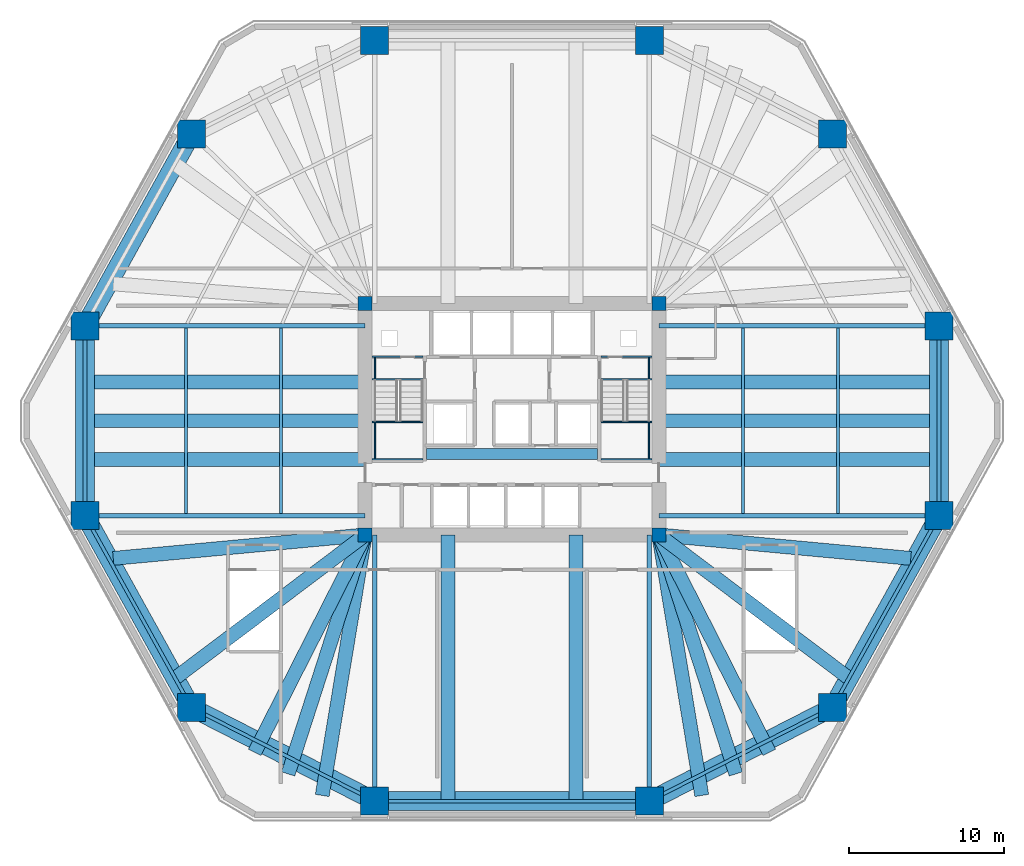
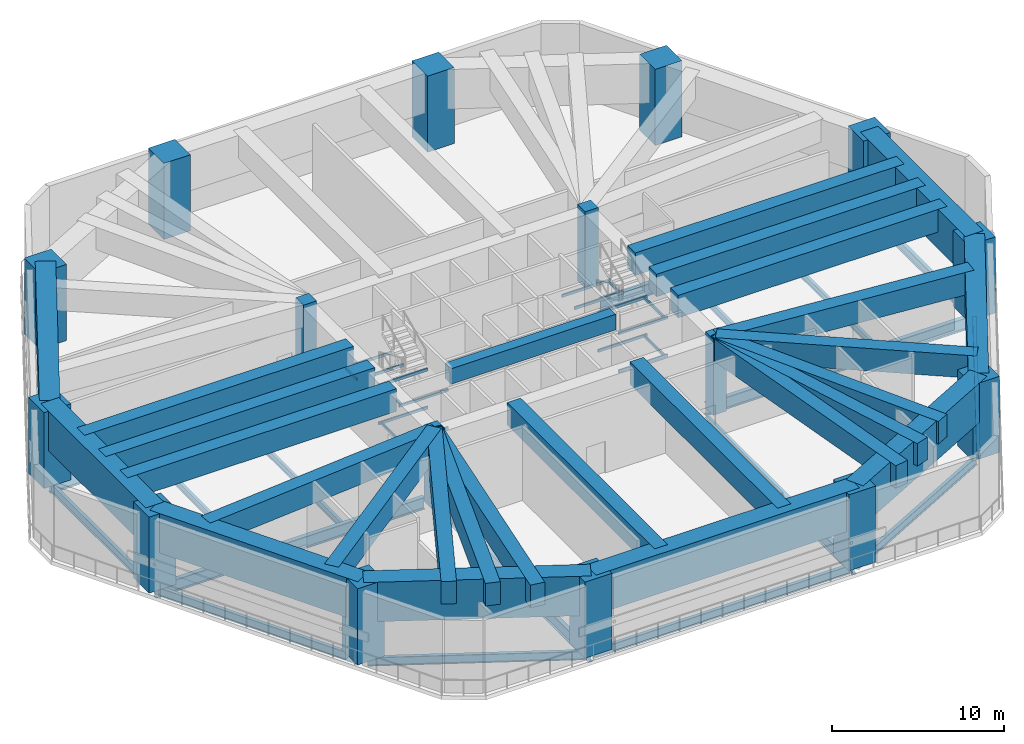
# One storey, part 1 of 12: 62 beams, 16 columns.
"""IFC4 building model written with IfcOpenShell, lengths in metres."""

import ifcopenshell
import ifcopenshell.guid

model = None  # the IFC model being written
_history = None  # IfcOwnerHistory: only IFC2X3 demands one
_inside = {}  # id of a spatial element -> (the spatial element, [elements in it])
_under = {}  # id of a project, library or spatial element -> (it, [spatial elements below it])
_declared = {}  # id of a project -> (the project, [libraries it declares])
_typed = {}  # id of a type object -> (the type object, [elements of that type])
_made_of = {}  # id of a material, layer set ... -> (it, [elements and type objects made of it])


def new_model(schema):
    """Start an empty IFC model of exactly this schema.

    Asked for "IFC4X3", IfcOpenShell would pick the latest addendum, in which some entities
    have other attributes; the version numbers below select the first issue.
    IFC2X3 requires an IfcOwnerHistory on every rooted entity: one is made here for all.
    """
    global model, _history
    if schema == "IFC4X3":
        model = ifcopenshell.file(schema_version=(4, 3, 0, 0))
    else:
        model = ifcopenshell.file(schema=schema)
    _inside.clear()
    _under.clear()
    _declared.clear()
    _typed.clear()
    _made_of.clear()
    _history = None
    if model.schema == "IFC2X3":
        org = make("IfcOrganization", Name="unknown")
        user = make(
            "IfcPersonAndOrganization",
            ThePerson=make("IfcPerson", FamilyName="unknown"),
            TheOrganization=org,
        )
        app = make(
            "IfcApplication",
            ApplicationDeveloper=org,
            Version="unknown",
            ApplicationFullName="unknown",
            ApplicationIdentifier="unknown",
        )
        _history = make(
            "IfcOwnerHistory",
            OwningUser=user,
            OwningApplication=app,
            ChangeAction="ADDED",
            CreationDate=0,
        )
    return model


def make(cls, **values):
    """One entity of the class cls with the attributes given. An attribute that is None is left unset."""
    return model.create_entity(
        cls, **{name: value for name, value in values.items() if value is not None}
    )


def rooted(cls, **values):
    """An entity with a GlobalId (a new one), such as an element, a storey or a relation."""
    return make(cls, GlobalId=ifcopenshell.guid.new(), OwnerHistory=_history, **values)


def si_unit(unit_type, name, prefix=None):
    """IfcSIUnit, for example si_unit("LENGTHUNIT", "METRE", prefix="MILLI")."""
    return make("IfcSIUnit", UnitType=unit_type, Prefix=prefix, Name=name)


def assignment(units):
    """IfcUnitAssignment: the units of a project."""
    return None if units is None else make("IfcUnitAssignment", Units=units)


def point(xyz):
    """IfcCartesianPoint."""
    return None if xyz is None else make("IfcCartesianPoint", Coordinates=xyz)


def direction(xyz):
    """IfcDirection."""
    return None if xyz is None else make("IfcDirection", DirectionRatios=xyz)


def frame(location, z_axis=None, x_axis=None):
    """IfcAxis2Placement3D, a coordinate frame: its origin and axes. An axis left out is left unset."""
    return make(
        "IfcAxis2Placement3D",
        Location=point(location),
        Axis=direction(z_axis),
        RefDirection=direction(x_axis),
    )


def frame_2d(location, x_axis=None):
    """IfcAxis2Placement2D, a coordinate frame in the plane: its origin and x axis."""
    return make(
        "IfcAxis2Placement2D", Location=point(location), RefDirection=direction(x_axis)
    )


def origin():
    """The frame at (0, 0, 0) with its axes left unset."""
    return frame((0.0, 0.0, 0.0))


def origin_2d():
    """The frame at (0, 0) in the plane with its x axis left unset."""
    return frame_2d((0.0, 0.0))


def place(relative_to, where):
    """IfcLocalPlacement: puts the frame where relative to a parent placement (None: the world)."""
    return make(
        "IfcLocalPlacement", PlacementRelTo=relative_to, RelativePlacement=where
    )


def context(
    kind, dimensions, precision=None, world=None, true_north=None, identifier=None
):
    """IfcGeometricRepresentationContext, for example the 3D "Model" context."""
    return make(
        "IfcGeometricRepresentationContext",
        ContextIdentifier=identifier,
        ContextType=kind,
        CoordinateSpaceDimension=dimensions,
        Precision=precision,
        WorldCoordinateSystem=world,
        TrueNorth=true_north,
    )


def subcontext(parent, identifier, kind, view, scale=None):
    """IfcGeometricRepresentationSubContext, for example "Body" below "Model"."""
    return make(
        "IfcGeometricRepresentationSubContext",
        ContextIdentifier=identifier,
        ContextType=kind,
        ParentContext=parent,
        TargetScale=scale,
        TargetView=view,
    )


def project(units=None, contexts=None):
    """IfcProject with its units and contexts."""
    return rooted(
        "IfcProject",
        Name="project",
        RepresentationContexts=contexts,
        UnitsInContext=assignment(units),
    )


def spatial(cls, under=None, at=None, **own):
    """A site, building, storey or space (cls), placed at a placement, below another one or the project."""
    s = rooted(cls, ObjectPlacement=at, **own)
    if under is not None:
        _under.setdefault(under.id(), (under, []))[1].append(s)
    return s


def profile(cls, at=None, kind="AREA", **sizes):
    """A parametric profile (cls). Its sizes go by their IFC names, for example OverallWidth=200.0."""
    return make(cls, ProfileType=kind, Position=at, **sizes)


def rectangle(**sizes):
    """IfcRectangleProfileDef."""
    return profile("IfcRectangleProfileDef", **sizes)


def hollow_rectangle(**sizes):
    """IfcRectangleHollowProfileDef."""
    return profile("IfcRectangleHollowProfileDef", **sizes)


def i_section(**sizes):
    """IfcIShapeProfileDef."""
    return profile("IfcIShapeProfileDef", **sizes)


def extrude(swept, where, along, depth):
    """IfcExtrudedAreaSolid: the profile swept, set in the frame where, extruded along a direction by depth."""
    return make(
        "IfcExtrudedAreaSolid",
        SweptArea=swept,
        Position=where,
        ExtrudedDirection=direction(along),
        Depth=depth,
    )


def shape(context_of_items, identifier, shape_type, items):
    """IfcShapeRepresentation: the items that make up one representation, for example the "Body"."""
    return make(
        "IfcShapeRepresentation",
        ContextOfItems=context_of_items,
        RepresentationIdentifier=identifier,
        RepresentationType=shape_type,
        Items=items,
    )


def material(Name=None, Category=None):
    """IfcMaterial."""
    return make("IfcMaterial", Name=Name, Category=Category)


def material_profile(
    of_material, cross_section, Name=None, Category=None, Priority=None
):
    """IfcMaterialProfile: a cross section and its material."""
    return make(
        "IfcMaterialProfile",
        Name=Name,
        Material=of_material,
        Profile=cross_section,
        Priority=Priority,
        Category=Category,
    )


def profile_set(profiles, Name=None, composite=None):
    """IfcMaterialProfileSet."""
    return make(
        "IfcMaterialProfileSet",
        Name=Name,
        MaterialProfiles=profiles,
        CompositeProfile=composite,
    )


def made_of(thing, what):
    """Note that an element or type object is made of a material, layer set ...; save() writes the relation."""
    if what is not None:
        _made_of.setdefault(what.id(), (what, []))[1].append(thing)
    return thing


def type_object(cls, material=None, **own):
    """A type object (cls), such as IfcWallType, which elements share."""
    return made_of(rooted(cls, **own), material)


def element(
    cls,
    number,
    at=None,
    inside=None,
    cuts=None,
    type_object=None,
    material=None,
    context=None,
    identifier="Body",
    shape_type=None,
    held_by="IfcProductDefinitionShape",
    body=None,
    shapes=None,
    **own,
):
    """One element of the class cls, such as IfcWall. Its Tag is "e" and its number.

    at: its placement. inside: the storey or other place that contains it. cuts: it is an
    opening in that element (IfcRelVoidsElement). A single representation is given by context,
    identifier, shape_type and body (its items); several are given by shapes. held_by: the class
    of the entity that holds the representations. save() writes the other relations.
    """
    e = rooted(cls, Tag="e%d" % number, ObjectPlacement=at, **own)
    if body is not None:
        shapes = [shape(context, identifier, shape_type, body)]
    if shapes is not None:
        e.Representation = make(held_by, Representations=shapes)
    if inside is not None:
        _inside.setdefault(inside.id(), (inside, []))[1].append(e)
    if cuts is not None:
        rooted(
            "IfcRelVoidsElement", RelatingBuildingElement=cuts, RelatedOpeningElement=e
        )
    if type_object is not None:
        _typed.setdefault(type_object.id(), (type_object, []))[1].append(e)
    return made_of(e, material)


def aggregate(whole, parts):
    """IfcRelAggregates: a whole, such as a stair, and the parts it consists of."""
    return rooted("IfcRelAggregates", RelatingObject=whole, RelatedObjects=parts)


def save(model, path):
    """Write the relations noted so far, then the file.

    IfcRelAggregates (storeys below a building ...), IfcRelContainedInSpatialStructure (elements
    in a storey), IfcRelDefinesByType, IfcRelAssociatesMaterial and IfcRelDeclares: one each for
    every whole, place, type object, material and project.
    """
    for whole, parts in _under.values():
        aggregate(whole, parts)
    for where, things in _inside.values():
        rooted(
            "IfcRelContainedInSpatialStructure",
            RelatedElements=things,
            RelatingStructure=where,
        )
    for kind, things in _typed.values():
        rooted("IfcRelDefinesByType", RelatedObjects=things, RelatingType=kind)
    for what, things in _made_of.values():
        rooted("IfcRelAssociatesMaterial", RelatedObjects=things, RelatingMaterial=what)
    for by, libraries in _declared.values():
        rooted("IfcRelDeclares", RelatingContext=by, RelatedDefinitions=libraries)
    model.write(path)


model = new_model("IFC4")

# Units and contexts
model_context = context("Model", 3, precision=1e-05, world=origin(), true_north=direction((0.0, 1.0)))
body_context = subcontext(model_context, "Body", "Model", "MODEL_VIEW")
ifc_project = project(units=[si_unit("LENGTHUNIT", "METRE"), si_unit("AREAUNIT", "SQUARE_METRE"), si_unit("VOLUMEUNIT", "CUBIC_METRE"), si_unit("PLANEANGLEUNIT", "RADIAN"), si_unit("MASSUNIT", "GRAM", prefix="KILO")], contexts=[model_context])

# Site, building, storey
site_placement = place(None, origin())
site = spatial("IfcSite", under=ifc_project, at=site_placement, CompositionType="ELEMENT")
building_placement = place(site_placement, origin())
building = spatial("IfcBuilding", under=site, at=building_placement, Name="Cinnabar Lancet Tower", CompositionType="ELEMENT")
storey_placement = place(building_placement, frame((0.0, 0.0, 19.5)))
storey = spatial("IfcBuildingStorey", under=building, at=storey_placement, Name="L04", CompositionType="ELEMENT", Elevation=19.5)

# Columns
ifc_material_1 = material(Name="Concrete C80/95", Category="concrete")
ifc_material_profile_1 = material_profile(ifc_material_1, rectangle(XDim=0.89990234375, YDim=0.89990234375, at=origin_2d()), Name="RC-COL 900x900")
ifc_profile_set_1 = profile_set([ifc_material_profile_1], Name="Concrete C80/95")
column_type_1 = type_object("IfcColumnType", Name="STR-COL-CORE-900", PredefinedType="COLUMN", material=ifc_profile_set_1)
for number, where, z_axis, x_axis, name in (
    (1, (22.949951171875, 18.449951171875, 0.0), (0.0, 0.0, 1.0), (1.0, 0.0, 0.0), "L04 Core Corner Column SW"),
    (2, (41.85009765625, 18.449951171875, 0.0), (0.0, 0.0, 1.0), (1.0, 0.0, 0.0), "L04 Core Corner Column SE"),
    (3, (41.85009765625, 33.35009765625, 0.0), (0.0, 0.0, 1.0), (1.0, 0.0, 0.0), "L04 Core Corner Column NE"),
    (4, (22.949951171875, 33.35009765625, 0.0), (0.0, 0.0, 1.0), (1.0, 0.0, 0.0), "L04 Core Corner Column NW"),
):
    element("IfcColumn", number, at=place(storey_placement, frame(where, z_axis=z_axis, x_axis=x_axis)), inside=storey, type_object=column_type_1, Name=name, PredefinedType="COLUMN", context=body_context, shape_type="SweptSolid", body=[
        extrude(rectangle(XDim=0.89990234375, YDim=0.89990234375, at=origin_2d()), origin(), (0.0, 0.0, 1.0), 5.39990234375),
    ])
ifc_material_2 = material(Name="Concrete C80/95", Category="concrete")
ifc_material_profile_2 = material_profile(ifc_material_2, rectangle(XDim=1.800048828125, YDim=1.800048828125, at=origin_2d()), Name="RC-MEGA 1800x1800")
ifc_profile_set_2 = profile_set([ifc_material_profile_2], Name="Concrete C80/95")
column_type_2 = type_object("IfcColumnType", Name="STR-COL-MEGA-1800", PredefinedType="COLUMN", material=ifc_profile_set_2)
for number, where, z_axis, x_axis, name in (
    (5, (23.554931640625, 1.31689453125, 0.0), (0.0, 0.0, 1.0), (1.0, 0.0, 0.0), "L04 Y-Pilotis Mega-Column 1"),
    (6, (41.2451171875, 1.31689453125, 0.0), (0.0, 0.0, 1.0), (1.0, 0.0, 0.0), "L04 Y-Pilotis Mega-Column 2"),
    (7, (53.04296875, 7.343994140625, 0.0), (0.0, 0.0, 1.0), (1.0, 0.0, 0.0), "L04 Y-Pilotis Mega-Column 3"),
    (8, (59.89111328125, 19.69189453125, 0.0), (0.0, 0.0, 1.0), (1.0, 0.0, 0.0), "L04 Y-Pilotis Mega-Column 4"),
    (9, (59.89111328125, 31.907958984375, 0.0), (0.0, 0.0, 1.0), (1.0, 0.0, 0.0), "L04 Y-Pilotis Mega-Column 5"),
    (10, (53.04296875, 44.256103515625, 0.0), (0.0, 0.0, 1.0), (1.0, 0.0, 0.0), "L04 Y-Pilotis Mega-Column 6"),
    (11, (41.2451171875, 50.282958984375, 0.0), (0.0, 0.0, 1.0), (1.0, 0.0, 0.0), "L04 Y-Pilotis Mega-Column 7"),
    (12, (23.554931640625, 50.282958984375, 0.0), (0.0, 0.0, 1.0), (1.0, 0.0, 0.0), "L04 Y-Pilotis Mega-Column 8"),
    (13, (11.757080078125, 44.256103515625, 0.0), (0.0, 0.0, 1.0), (1.0, 0.0, 0.0), "L04 Y-Pilotis Mega-Column 9"),
    (14, (4.908935546875, 31.907958984375, 0.0), (0.0, 0.0, 1.0), (1.0, 0.0, 0.0), "L04 Y-Pilotis Mega-Column 10"),
    (15, (4.908935546875, 19.69189453125, 0.0), (0.0, 0.0, 1.0), (1.0, 0.0, 0.0), "L04 Y-Pilotis Mega-Column 11"),
    (16, (11.757080078125, 7.343994140625, 0.0), (0.0, 0.0, 1.0), (1.0, 0.0, 0.0), "L04 Y-Pilotis Mega-Column 12"),
):
    element("IfcColumn", number, at=place(storey_placement, frame(where, z_axis=z_axis, x_axis=x_axis)), inside=storey, type_object=column_type_2, Name=name, PredefinedType="COLUMN", context=body_context, shape_type="SweptSolid", body=[
        extrude(rectangle(XDim=1.800048828125, YDim=1.800048828125, at=origin_2d()), origin(), (0.0, 0.0, 1.0), 5.39990234375),
    ])

# Beams
ifc_material_3 = material(Name="Concrete C70/85", Category="concrete")
ifc_material_profile_3 = material_profile(ifc_material_3, rectangle(XDim=0.89990234375, YDim=1.60009765625, at=origin_2d()), Name="RC-BG 900x1600")
ifc_profile_set_3 = profile_set([ifc_material_profile_3], Name="Concrete C70/85")
beam_type_1 = type_object("IfcBeamType", Name="STR-BM-BG-1600", PredefinedType="BEAM", material=ifc_profile_set_3)
beam_1_placement = place(storey_placement, frame((20.181884765625, 1.674072265625, 4.60009765625), z_axis=(0.162801438881, 0.986658852643, 0.0), x_axis=(-0.986658852643, 0.162801438881, 0.0)))
element("IfcBeam", 17, at=beam_1_placement, inside=storey, type_object=beam_type_1, Name="L04 Continuous Radial Transfer Girder 1", PredefinedType="BEAM", context=body_context, shape_type="SweptSolid", body=[
    extrude(rectangle(XDim=0.89990234375, YDim=1.60009765625, at=origin_2d()), origin(), (0.0, 0.0, 1.0), 17.002685546875),
])
for number, where, z_axis, x_axis, name in (
    (18, (28.278076171875, 1.31689453125, 4.60009765625), (0.0, 1.0, 0.0), (-1.0, 0.0, 0.0), "L04 Continuous Radial Transfer Girder 2"),
    (19, (36.52197265625, 1.31689453125, 4.60009765625), (0.0, 1.0, 0.0), (-1.0, 0.0, 0.0), "L04 Continuous Radial Transfer Girder 3"),
):
    element("IfcBeam", number, at=place(storey_placement, frame(where, z_axis=z_axis, x_axis=x_axis)), inside=storey, type_object=beam_type_1, Name=name, PredefinedType="BEAM", context=body_context, shape_type="SweptSolid", body=[
        extrude(rectangle(XDim=0.89990234375, YDim=1.60009765625, at=origin_2d()), origin(), (0.0, 0.0, 1.0), 17.133056640625),
    ])
beam_2_placement = place(storey_placement, frame((44.617919921875, 1.674072265625, 4.60009765625), z_axis=(-0.162787460485, 0.986661159015, 0.0), x_axis=(-0.986661159015, -0.162787460485, 0.0)))
element("IfcBeam", 20, at=beam_2_placement, inside=storey, type_object=beam_type_1, Name="L04 Continuous Radial Transfer Girder 4", PredefinedType="BEAM", context=body_context, shape_type="SweptSolid", body=[
    extrude(rectangle(XDim=0.89990234375, YDim=1.60009765625, at=origin_2d()), origin(), (0.0, 0.0, 1.0), 17.002685546875),
])
beam_3_placement = place(storey_placement, frame((48.966064453125, 4.451904296875, 4.60009765625), z_axis=(-0.453161456122, 0.891428457413, 0.0), x_axis=(-0.891428457413, -0.453161456122, 0.0)))
element("IfcBeam", 21, at=beam_3_placement, inside=storey, type_object=beam_type_1, Name="L04 Continuous Radial Transfer Girder 5", PredefinedType="BEAM", context=body_context, shape_type="SweptSolid", body=[
    extrude(rectangle(XDim=0.89990234375, YDim=1.60009765625, at=origin_2d()), origin(), (0.0, 0.0, 1.0), 15.702880859375),
])
beam_4_placement = place(storey_placement, frame((54.06689453125, 9.2451171875, 4.60009765625), z_axis=(-0.798672672923, 0.601765703182, 0.0), x_axis=(-0.601765703182, -0.798672672923, 0.0)))
element("IfcBeam", 22, at=beam_4_placement, inside=storey, type_object=beam_type_1, Name="L04 Continuous Radial Transfer Girder 6", PredefinedType="BEAM", context=body_context, shape_type="SweptSolid", body=[
    extrude(rectangle(XDim=0.89990234375, YDim=1.60009765625, at=origin_2d()), origin(), (0.0, 0.0, 1.0), 15.29638671875),
])
beam_5_placement = place(storey_placement, frame((58.071044921875, 16.93798828125, 4.60009765625), z_axis=(-0.995684003115, 0.092808221298, 0.0), x_axis=(-0.092808221298, -0.995684003115, 0.0)))
element("IfcBeam", 23, at=beam_5_placement, inside=storey, type_object=beam_type_1, Name="L04 Continuous Radial Transfer Girder 7", PredefinedType="BEAM", context=body_context, shape_type="SweptSolid", body=[
    extrude(rectangle(XDim=0.89990234375, YDim=1.60009765625, at=origin_2d()), origin(), (0.0, 0.0, 1.0), 16.291259765625),
])
for number, where, z_axis, x_axis, name in (
    (24, (59.89111328125, 23.31396484375, 4.60009765625), (-1.0, 0.0, 0.0), (0.0, -1.0, 0.0), "L04 Continuous Radial Transfer Girder 8"),
    (25, (59.89111328125, 28.285888671875, 4.60009765625), (-1.0, 0.0, 0.0), (0.0, -1.0, 0.0), "L04 Continuous Radial Transfer Girder 9"),
    (26, (4.908935546875, 28.285888671875, 4.60009765625), (1.0, 0.0, 0.0), (0.0, 1.0, 0.0), "L04 Continuous Radial Transfer Girder 20"),
    (27, (4.908935546875, 23.31396484375, 4.60009765625), (1.0, 0.0, 0.0), (0.0, 1.0, 0.0), "L04 Continuous Radial Transfer Girder 21"),
):
    element("IfcBeam", number, at=place(storey_placement, frame(where, z_axis=z_axis, x_axis=x_axis)), inside=storey, type_object=beam_type_1, Name=name, PredefinedType="BEAM", context=body_context, shape_type="SweptSolid", body=[
        extrude(rectangle(XDim=0.89990234375, YDim=1.60009765625, at=origin_2d()), origin(), (0.0, 0.0, 1.0), 18.041015625),
    ])
beam_6_placement = place(storey_placement, frame((6.72900390625, 16.93798828125, 4.60009765625), z_axis=(0.995684003115, 0.092808221298, 0.0), x_axis=(-0.092808221298, 0.995684003115, 0.0)))
element("IfcBeam", 28, at=beam_6_placement, inside=storey, type_object=beam_type_1, Name="L04 Continuous Radial Transfer Girder 22", PredefinedType="BEAM", context=body_context, shape_type="SweptSolid", body=[
    extrude(rectangle(XDim=0.89990234375, YDim=1.60009765625, at=origin_2d()), origin(), (0.0, 0.0, 1.0), 16.291259765625),
])
beam_7_placement = place(storey_placement, frame((10.73291015625, 9.2451171875, 4.60009765625), z_axis=(0.798678452527, 0.601758032326, 0.0), x_axis=(-0.601758032326, 0.798678452527, 0.0)))
element("IfcBeam", 29, at=beam_7_placement, inside=storey, type_object=beam_type_1, Name="L04 Continuous Radial Transfer Girder 23", PredefinedType="BEAM", context=body_context, shape_type="SweptSolid", body=[
    extrude(rectangle(XDim=0.89990234375, YDim=1.60009765625, at=origin_2d()), origin(), (0.0, 0.0, 1.0), 15.296630859375),
])
beam_8_placement = place(storey_placement, frame((15.833984375, 4.451904296875, 4.60009765625), z_axis=(0.453161456122, 0.891428457413, 0.0), x_axis=(-0.891428457413, 0.453161456122, 0.0)))
element("IfcBeam", 30, at=beam_8_placement, inside=storey, type_object=beam_type_1, Name="L04 Continuous Radial Transfer Girder 24", PredefinedType="BEAM", context=body_context, shape_type="SweptSolid", body=[
    extrude(rectangle(XDim=0.89990234375, YDim=1.60009765625, at=origin_2d()), origin(), (0.0, 0.0, 1.0), 15.702880859375),
])
for number, where, z_axis, x_axis, name in (
    (31, (17.989013671875, 3.06298828125, 4.60009765625), (0.306857172491, 0.951755575603, 0.0), (-0.951755575603, 0.306857172491, 0.0), "L04 Corner Pilaster Radial Transfer Girder 1"),
    (32, (46.81103515625, 3.06298828125, 4.60009765625), (-0.306857172491, 0.951755575603, 0.0), (-0.951755575603, -0.306857172491, 0.0), "L04 Corner Pilaster Radial Transfer Girder 2"),
):
    element("IfcBeam", number, at=place(storey_placement, frame(where, z_axis=z_axis, x_axis=x_axis)), inside=storey, type_object=beam_type_1, Name=name, PredefinedType="BEAM", context=body_context, shape_type="SweptSolid", body=[
        extrude(rectangle(XDim=0.89990234375, YDim=1.60009765625, at=origin_2d()), origin(), (0.0, 0.0, 1.0), 16.1669921875),
    ])
for number, where, z_axis, x_axis, name in (
    (33, (59.89111328125, 25.800048828125, 4.60009765625), (-1.0, 0.0, 0.0), (0.0, -1.0, 0.0), "L04 Corner Pilaster Radial Transfer Girder 3"),
    (34, (4.908935546875, 25.800048828125, 4.60009765625), (1.0, 0.0, 0.0), (0.0, 1.0, 0.0), "L04 Corner Pilaster Radial Transfer Girder 6"),
):
    element("IfcBeam", number, at=place(storey_placement, frame(where, z_axis=z_axis, x_axis=x_axis)), inside=storey, type_object=beam_type_1, Name=name, PredefinedType="BEAM", context=body_context, shape_type="SweptSolid", body=[
        extrude(rectangle(XDim=0.89990234375, YDim=1.60009765625, at=origin_2d()), origin(), (0.0, 0.0, 1.0), 18.041015625),
    ])
ifc_material_4 = material(Name="Concrete C70/85", Category="concrete")
ifc_material_profile_4 = material_profile(ifc_material_4, rectangle(XDim=0.699951171875, YDim=1.10009765625, at=origin_2d()), Name="RC-CB 700x1100")
ifc_profile_set_4 = profile_set([ifc_material_profile_4], Name="Concrete C70/85")
beam_type_2 = type_object("IfcBeamType", Name="STR-BM-CB-1100", PredefinedType="BEAM", material=ifc_profile_set_4)
beam_9_placement = place(storey_placement, frame((26.8798828125, 23.64990234375, 4.6298828125), z_axis=(1.0, 0.0, 0.0), x_axis=(0.0, 1.0, 0.0)))
element("IfcBeam", 35, at=beam_9_placement, inside=storey, type_object=beam_type_2, Name="L04 Core Coupling Beam", PredefinedType="BEAM", context=body_context, shape_type="SweptSolid", body=[
    extrude(rectangle(XDim=0.699951171875, YDim=1.10009765625, at=origin_2d()), origin(), (0.0, 0.0, 1.0), 11.0400390625),
])
ifc_material_5 = material(Name="Structural steel S355", Category="steel")
ifc_material_profile_5 = material_profile(ifc_material_5, i_section(OverallWidth=0.1904296875, OverallDepth=0.45703125, WebThickness=0.009033203125, FlangeThickness=0.014404296875, FilletRadius=0.01025390625, at=origin_2d()), Name="UKB 457x191x74")
ifc_profile_set_5 = profile_set([ifc_material_profile_5], Name="Structural steel S355")
beam_type_3 = type_object("IfcBeamType", Name="STR-BM-JST-457", PredefinedType="JOIST", material=ifc_profile_set_5)
for number, where, z_axis, x_axis, name in (
    (36, (53.39599609375, 19.839111328125, -0.509033203125), (0.0, 1.0, 0.0), (-1.0, 0.0, 0.0), "L04 Secondary Floor Joist 1"),
    (37, (47.261962890625, 19.839111328125, -0.509033203125), (0.0, 1.0, 0.0), (-1.0, 0.0, 0.0), "L04 Secondary Floor Joist 2"),
    (38, (11.404052734375, 31.760986328125, -0.509033203125), (0.0, -1.0, 0.0), (1.0, 0.0, 0.0), "L04 Secondary Floor Joist 11"),
    (39, (17.5380859375, 31.760986328125, -0.509033203125), (0.0, -1.0, 0.0), (1.0, 0.0, 0.0), "L04 Secondary Floor Joist 12"),
):
    element("IfcBeam", number, at=place(storey_placement, frame(where, z_axis=z_axis, x_axis=x_axis)), inside=storey, type_object=beam_type_3, Name=name, PredefinedType="JOIST", context=body_context, shape_type="SweptSolid", body=[
        extrude(i_section(OverallWidth=0.1904296875, OverallDepth=0.45703125, WebThickness=0.009033203125, FlangeThickness=0.014404296875, FilletRadius=0.01025390625, at=origin_2d()), origin(), (0.0, 0.0, 1.0), 11.921875),
    ])
ifc_material_6 = material(Name="Structural steel S355", Category="steel")
ifc_material_profile_6 = material_profile(ifc_material_6, hollow_rectangle(XDim=0.10009765625, YDim=0.199951171875, WallThickness=0.008056640625, InnerFilletRadius=0.00390625, OuterFilletRadius=0.011962890625, at=origin_2d()), Name="RHS 200x100x8")
ifc_profile_set_6 = profile_set([ifc_material_profile_6], Name="Structural steel S355")
beam_type_4 = type_object("IfcBeamType", Name="STR-BM-LND-203", PredefinedType="BEAM", material=ifc_profile_set_6)
for number, where, z_axis, x_axis, name in (
    (40, (23.39990234375, 23.330078125, 1.050048828125), (1.0, 0.0, 0.0), (0.0, 1.0, 0.0), "L04 ST-1-L04 Landing Support Beam S"),
    (41, (23.39990234375, 25.719970703125, 1.050048828125), (1.0, 0.0, 0.0), (0.0, 1.0, 0.0), "L04 ST-1-L04 Landing Support Beam N"),
):
    element("IfcBeam", number, at=place(storey_placement, frame(where, z_axis=z_axis, x_axis=x_axis)), inside=storey, type_object=beam_type_4, Name=name, PredefinedType="BEAM", context=body_context, shape_type="SweptSolid", body=[
        extrude(hollow_rectangle(XDim=0.10009765625, YDim=0.199951171875, WallThickness=0.008056640625, InnerFilletRadius=0.00390625, OuterFilletRadius=0.011962890625, at=origin_2d()), origin(), (0.0, 0.0, 1.0), 3.280029296875),
    ])
beam_10_placement = place(storey_placement, frame((23.580078125, 23.3798828125, 1.050048828125), z_axis=(0.0, 1.0, 0.0), x_axis=(-1.0, 0.0, 0.0)))
element("IfcBeam", 42, at=beam_10_placement, inside=storey, type_object=beam_type_4, Name="L04 ST-1-L04 Landing Side Trimmer Beam", PredefinedType="BEAM", context=body_context, shape_type="SweptSolid", body=[
    extrude(hollow_rectangle(XDim=0.10009765625, YDim=0.199951171875, WallThickness=0.008056640625, InnerFilletRadius=0.00390625, OuterFilletRadius=0.011962890625, at=origin_2d()), origin(), (0.0, 0.0, 1.0), 2.2900390625),
])
for number, where, z_axis, x_axis, name in (
    (43, (23.39990234375, 28.47998046875, 2.39990234375), (1.0, 0.0, 0.0), (0.0, 1.0, 0.0), "L04 ST-1-L04 Landing Support Beam S"),
    (44, (23.39990234375, 29.919921875, 2.39990234375), (1.0, 0.0, 0.0), (0.0, 1.0, 0.0), "L04 ST-1-L04 Landing Support Beam N"),
):
    element("IfcBeam", number, at=place(storey_placement, frame(where, z_axis=z_axis, x_axis=x_axis)), inside=storey, type_object=beam_type_4, Name=name, PredefinedType="BEAM", context=body_context, shape_type="SweptSolid", body=[
        extrude(hollow_rectangle(XDim=0.10009765625, YDim=0.199951171875, WallThickness=0.008056640625, InnerFilletRadius=0.00390625, OuterFilletRadius=0.011962890625, at=origin_2d()), origin(), (0.0, 0.0, 1.0), 3.280029296875),
    ])
beam_11_placement = place(storey_placement, frame((23.580078125, 28.530029296875, 2.39990234375), z_axis=(0.0, 1.0, 0.0), x_axis=(-1.0, 0.0, 0.0)))
element("IfcBeam", 45, at=beam_11_placement, inside=storey, type_object=beam_type_4, Name="L04 ST-1-L04 Landing Side Trimmer Beam", PredefinedType="BEAM", context=body_context, shape_type="SweptSolid", body=[
    extrude(hollow_rectangle(XDim=0.10009765625, YDim=0.199951171875, WallThickness=0.008056640625, InnerFilletRadius=0.00390625, OuterFilletRadius=0.011962890625, at=origin_2d()), origin(), (0.0, 0.0, 1.0), 1.340087890625),
])
for number, where, z_axis, x_axis, name in (
    (46, (23.39990234375, 23.330078125, 3.75), (1.0, 0.0, 0.0), (0.0, 1.0, 0.0), "L04 ST-1-L04 Landing Support Beam S"),
    (47, (23.39990234375, 25.719970703125, 3.75), (1.0, 0.0, 0.0), (0.0, 1.0, 0.0), "L04 ST-1-L04 Landing Support Beam N"),
):
    element("IfcBeam", number, at=place(storey_placement, frame(where, z_axis=z_axis, x_axis=x_axis)), inside=storey, type_object=beam_type_4, Name=name, PredefinedType="BEAM", context=body_context, shape_type="SweptSolid", body=[
        extrude(hollow_rectangle(XDim=0.10009765625, YDim=0.199951171875, WallThickness=0.008056640625, InnerFilletRadius=0.00390625, OuterFilletRadius=0.011962890625, at=origin_2d()), origin(), (0.0, 0.0, 1.0), 3.280029296875),
    ])
beam_12_placement = place(storey_placement, frame((23.580078125, 23.3798828125, 3.75), z_axis=(0.0, 1.0, 0.0), x_axis=(-1.0, 0.0, 0.0)))
element("IfcBeam", 48, at=beam_12_placement, inside=storey, type_object=beam_type_4, Name="L04 ST-1-L04 Landing Side Trimmer Beam", PredefinedType="BEAM", context=body_context, shape_type="SweptSolid", body=[
    extrude(hollow_rectangle(XDim=0.10009765625, YDim=0.199951171875, WallThickness=0.008056640625, InnerFilletRadius=0.00390625, OuterFilletRadius=0.011962890625, at=origin_2d()), origin(), (0.0, 0.0, 1.0), 2.2900390625),
])
for number, where, z_axis, x_axis, name in (
    (49, (38.1201171875, 23.330078125, 1.050048828125), (1.0, 0.0, 0.0), (0.0, 1.0, 0.0), "L04 ST-2-L04 Landing Support Beam S"),
    (50, (38.1201171875, 25.719970703125, 1.050048828125), (1.0, 0.0, 0.0), (0.0, 1.0, 0.0), "L04 ST-2-L04 Landing Support Beam N"),
):
    element("IfcBeam", number, at=place(storey_placement, frame(where, z_axis=z_axis, x_axis=x_axis)), inside=storey, type_object=beam_type_4, Name=name, PredefinedType="BEAM", context=body_context, shape_type="SweptSolid", body=[
        extrude(hollow_rectangle(XDim=0.10009765625, YDim=0.199951171875, WallThickness=0.008056640625, InnerFilletRadius=0.00390625, OuterFilletRadius=0.011962890625, at=origin_2d()), origin(), (0.0, 0.0, 1.0), 3.27978515625),
    ])
beam_13_placement = place(storey_placement, frame((41.219970703125, 23.3798828125, 1.050048828125), z_axis=(0.0, 1.0, 0.0), x_axis=(-1.0, 0.0, 0.0)))
element("IfcBeam", 51, at=beam_13_placement, inside=storey, type_object=beam_type_4, Name="L04 ST-2-L04 Landing Side Trimmer Beam", PredefinedType="BEAM", context=body_context, shape_type="SweptSolid", body=[
    extrude(hollow_rectangle(XDim=0.10009765625, YDim=0.199951171875, WallThickness=0.008056640625, InnerFilletRadius=0.00390625, OuterFilletRadius=0.011962890625, at=origin_2d()), origin(), (0.0, 0.0, 1.0), 2.2900390625),
])
for number, where, z_axis, x_axis, name in (
    (52, (38.1201171875, 28.47998046875, 2.39990234375), (1.0, 0.0, 0.0), (0.0, 1.0, 0.0), "L04 ST-2-L04 Landing Support Beam S"),
    (53, (38.1201171875, 29.919921875, 2.39990234375), (1.0, 0.0, 0.0), (0.0, 1.0, 0.0), "L04 ST-2-L04 Landing Support Beam N"),
):
    element("IfcBeam", number, at=place(storey_placement, frame(where, z_axis=z_axis, x_axis=x_axis)), inside=storey, type_object=beam_type_4, Name=name, PredefinedType="BEAM", context=body_context, shape_type="SweptSolid", body=[
        extrude(hollow_rectangle(XDim=0.10009765625, YDim=0.199951171875, WallThickness=0.008056640625, InnerFilletRadius=0.00390625, OuterFilletRadius=0.011962890625, at=origin_2d()), origin(), (0.0, 0.0, 1.0), 3.27978515625),
    ])
beam_14_placement = place(storey_placement, frame((41.219970703125, 28.530029296875, 2.39990234375), z_axis=(0.0, 1.0, 0.0), x_axis=(-1.0, 0.0, 0.0)))
element("IfcBeam", 54, at=beam_14_placement, inside=storey, type_object=beam_type_4, Name="L04 ST-2-L04 Landing Side Trimmer Beam", PredefinedType="BEAM", context=body_context, shape_type="SweptSolid", body=[
    extrude(hollow_rectangle(XDim=0.10009765625, YDim=0.199951171875, WallThickness=0.008056640625, InnerFilletRadius=0.00390625, OuterFilletRadius=0.011962890625, at=origin_2d()), origin(), (0.0, 0.0, 1.0), 1.340087890625),
])
for number, where, z_axis, x_axis, name in (
    (55, (38.1201171875, 23.330078125, 3.75), (1.0, 0.0, 0.0), (0.0, 1.0, 0.0), "L04 ST-2-L04 Landing Support Beam S"),
    (56, (38.1201171875, 25.719970703125, 3.75), (1.0, 0.0, 0.0), (0.0, 1.0, 0.0), "L04 ST-2-L04 Landing Support Beam N"),
):
    element("IfcBeam", number, at=place(storey_placement, frame(where, z_axis=z_axis, x_axis=x_axis)), inside=storey, type_object=beam_type_4, Name=name, PredefinedType="BEAM", context=body_context, shape_type="SweptSolid", body=[
        extrude(hollow_rectangle(XDim=0.10009765625, YDim=0.199951171875, WallThickness=0.008056640625, InnerFilletRadius=0.00390625, OuterFilletRadius=0.011962890625, at=origin_2d()), origin(), (0.0, 0.0, 1.0), 3.27978515625),
    ])
beam_15_placement = place(storey_placement, frame((41.219970703125, 23.3798828125, 3.75), z_axis=(0.0, 1.0, 0.0), x_axis=(-1.0, 0.0, 0.0)))
element("IfcBeam", 57, at=beam_15_placement, inside=storey, type_object=beam_type_4, Name="L04 ST-2-L04 Landing Side Trimmer Beam", PredefinedType="BEAM", context=body_context, shape_type="SweptSolid", body=[
    extrude(hollow_rectangle(XDim=0.10009765625, YDim=0.199951171875, WallThickness=0.008056640625, InnerFilletRadius=0.00390625, OuterFilletRadius=0.011962890625, at=origin_2d()), origin(), (0.0, 0.0, 1.0), 2.2900390625),
])
ifc_material_7 = material(Name="Structural steel S355", Category="steel")
ifc_material_profile_7 = material_profile(ifc_material_7, i_section(OverallWidth=0.228271484375, OverallDepth=0.607666015625, WebThickness=0.010986328125, FlangeThickness=0.017333984375, FilletRadius=0.0126953125, at=origin_2d()), Name="UKB 610x229x113")
ifc_profile_set_7 = profile_set([ifc_material_profile_7], Name="Structural steel S355")
beam_type_5 = type_object("IfcBeamType", Name="STR-BM-SPN-610", PredefinedType="SPANDREL", material=ifc_profile_set_7)
beam_16_placement = place(storey_placement, frame((23.804931640625, 1.31689453125, -0.583984375), z_axis=(1.0, 0.0, 0.0), x_axis=(0.0, 1.0, 0.0)))
element("IfcBeam", 58, at=beam_16_placement, inside=storey, type_object=beam_type_5, Name="L04 Perimeter Spandrel 1", PredefinedType="SPANDREL", context=body_context, shape_type="SweptSolid", body=[
    extrude(i_section(OverallWidth=0.228271484375, OverallDepth=0.607666015625, WebThickness=0.010986328125, FlangeThickness=0.017333984375, FilletRadius=0.0126953125, at=origin_2d()), origin(), (0.0, 0.0, 1.0), 17.190185546875),
])
beam_17_placement = place(storey_placement, frame((41.468017578125, 1.430908203125, -0.583984375), z_axis=(0.890532798964, 0.454919041116, 0.0), x_axis=(-0.454919041116, 0.890532798964, 0.0)))
element("IfcBeam", 59, at=beam_17_placement, inside=storey, type_object=beam_type_5, Name="L04 Perimeter Spandrel 2", PredefinedType="SPANDREL", context=body_context, shape_type="SweptSolid", body=[
    extrude(i_section(OverallWidth=0.228271484375, OverallDepth=0.607666015625, WebThickness=0.010986328125, FlangeThickness=0.017333984375, FilletRadius=0.0126953125, at=origin_2d()), origin(), (0.0, 0.0, 1.0), 12.74755859375),
])
beam_18_placement = place(storey_placement, frame((53.1640625, 7.56298828125, -0.583984375), z_axis=(0.485044660428, 0.874489380947, 0.0), x_axis=(-0.874489380947, 0.485044660428, 0.0)))
element("IfcBeam", 60, at=beam_18_placement, inside=storey, type_object=beam_type_5, Name="L04 Perimeter Spandrel 3", PredefinedType="SPANDREL", context=body_context, shape_type="SweptSolid", body=[
    extrude(i_section(OverallWidth=0.228271484375, OverallDepth=0.607666015625, WebThickness=0.010986328125, FlangeThickness=0.017333984375, FilletRadius=0.0126953125, at=origin_2d()), origin(), (0.0, 0.0, 1.0), 13.619384765625),
])
for number, where, z_axis, x_axis, name in (
    (61, (59.89111328125, 19.94189453125, -0.583984375), (0.0, 1.0, 0.0), (-1.0, 0.0, 0.0), "L04 Perimeter Spandrel 4"),
    (62, (4.908935546875, 31.657958984375, -0.583984375), (0.0, -1.0, 0.0), (1.0, 0.0, 0.0), "L04 Perimeter Spandrel 10"),
):
    element("IfcBeam", number, at=place(storey_placement, frame(where, z_axis=z_axis, x_axis=x_axis)), inside=storey, type_object=beam_type_5, Name=name, PredefinedType="SPANDREL", context=body_context, shape_type="SweptSolid", body=[
        extrude(i_section(OverallWidth=0.228271484375, OverallDepth=0.607666015625, WebThickness=0.010986328125, FlangeThickness=0.017333984375, FilletRadius=0.0126953125, at=origin_2d()), origin(), (0.0, 0.0, 1.0), 11.716064453125),
    ])
beam_19_placement = place(storey_placement, frame((5.030029296875, 19.472900390625, -0.583984375), z_axis=(0.485044660428, -0.874489380947, 0.0), x_axis=(0.874489380947, 0.485044660428, 0.0)))
element("IfcBeam", 63, at=beam_19_placement, inside=storey, type_object=beam_type_5, Name="L04 Perimeter Spandrel 11", PredefinedType="SPANDREL", context=body_context, shape_type="SweptSolid", body=[
    extrude(i_section(OverallWidth=0.228271484375, OverallDepth=0.607666015625, WebThickness=0.010986328125, FlangeThickness=0.017333984375, FilletRadius=0.0126953125, at=origin_2d()), origin(), (0.0, 0.0, 1.0), 13.619384765625),
])
beam_20_placement = place(storey_placement, frame((11.97998046875, 7.22998046875, -0.583984375), z_axis=(0.890532798964, -0.454919041116, 0.0), x_axis=(0.454919041116, 0.890532798964, 0.0)))
element("IfcBeam", 64, at=beam_20_placement, inside=storey, type_object=beam_type_5, Name="L04 Perimeter Spandrel 12", PredefinedType="SPANDREL", context=body_context, shape_type="SweptSolid", body=[
    extrude(i_section(OverallWidth=0.228271484375, OverallDepth=0.607666015625, WebThickness=0.010986328125, FlangeThickness=0.017333984375, FilletRadius=0.0126953125, at=origin_2d()), origin(), (0.0, 0.0, 1.0), 12.74755859375),
])
ifc_material_8 = material(Name="Concrete C80/95", Category="concrete")
ifc_material_profile_8 = material_profile(ifc_material_8, rectangle(XDim=1.199951171875, YDim=2.800048828125, at=origin_2d()), Name="RC-TG 1200x2800")
ifc_profile_set_8 = profile_set([ifc_material_profile_8], Name="Concrete C80/95")
beam_type_6 = type_object("IfcBeamType", Name="STR-BM-TG-2800", PredefinedType="BEAM", material=ifc_profile_set_8)
beam_21_placement = place(storey_placement, frame((23.554931640625, 1.31689453125, 4.0), z_axis=(1.0, 0.0, 0.0), x_axis=(0.0, 1.0, 0.0)))
element("IfcBeam", 65, at=beam_21_placement, inside=storey, type_object=beam_type_6, Name="L04 Perimeter Composite Transfer Girder 1", PredefinedType="BEAM", context=body_context, shape_type="SweptSolid", body=[
    extrude(rectangle(XDim=1.199951171875, YDim=2.800048828125, at=origin_2d()), origin(), (0.0, 0.0, 1.0), 17.690185546875),
])
beam_22_placement = place(storey_placement, frame((41.2451171875, 1.31689453125, 4.0), z_axis=(0.890523782806, 0.454936690384, 0.0), x_axis=(-0.454936690384, 0.890523782806, 0.0)))
element("IfcBeam", 66, at=beam_22_placement, inside=storey, type_object=beam_type_6, Name="L04 Perimeter Composite Transfer Girder 2", PredefinedType="BEAM", context=body_context, shape_type="SweptSolid", body=[
    extrude(rectangle(XDim=1.199951171875, YDim=2.800048828125, at=origin_2d()), origin(), (0.0, 0.0, 1.0), 13.248291015625),
])
beam_23_placement = place(storey_placement, frame((53.04296875, 7.343994140625, 4.0), z_axis=(0.485004187454, 0.87451182848, 0.0), x_axis=(-0.87451182848, 0.485004187454, 0.0)))
element("IfcBeam", 67, at=beam_23_placement, inside=storey, type_object=beam_type_6, Name="L04 Perimeter Composite Transfer Girder 3", PredefinedType="BEAM", context=body_context, shape_type="SweptSolid", body=[
    extrude(rectangle(XDim=1.199951171875, YDim=2.800048828125, at=origin_2d()), origin(), (0.0, 0.0, 1.0), 14.119873046875),
])
beam_24_placement = place(storey_placement, frame((59.89111328125, 19.69189453125, 4.0), z_axis=(0.0, 1.0, 0.0), x_axis=(-1.0, 0.0, 0.0)))
element("IfcBeam", 68, at=beam_24_placement, inside=storey, type_object=beam_type_6, Name="L04 Perimeter Composite Transfer Girder 4", PredefinedType="BEAM", context=body_context, shape_type="SweptSolid", body=[
    extrude(rectangle(XDim=1.199951171875, YDim=2.800048828125, at=origin_2d()), origin(), (0.0, 0.0, 1.0), 12.216064453125),
])
beam_25_placement = place(storey_placement, frame((11.757080078125, 44.256103515625, 4.0), z_axis=(-0.484996853837, -0.874515895664, 0.0), x_axis=(0.874515895664, -0.484996853837, 0.0)))
element("IfcBeam", 69, at=beam_25_placement, inside=storey, type_object=beam_type_6, Name="L04 Perimeter Composite Transfer Girder 9", PredefinedType="BEAM", context=body_context, shape_type="SweptSolid", body=[
    extrude(rectangle(XDim=1.199951171875, YDim=2.800048828125, at=origin_2d()), origin(), (0.0, 0.0, 1.0), 14.119873046875),
])
beam_26_placement = place(storey_placement, frame((4.908935546875, 31.907958984375, 4.0), z_axis=(0.0, -1.0, 0.0), x_axis=(1.0, 0.0, 0.0)))
element("IfcBeam", 70, at=beam_26_placement, inside=storey, type_object=beam_type_6, Name="L04 Perimeter Composite Transfer Girder 10", PredefinedType="BEAM", context=body_context, shape_type="SweptSolid", body=[
    extrude(rectangle(XDim=1.199951171875, YDim=2.800048828125, at=origin_2d()), origin(), (0.0, 0.0, 1.0), 12.216064453125),
])
beam_27_placement = place(storey_placement, frame((4.908935546875, 19.69189453125, 4.0), z_axis=(0.485004187454, -0.87451182848, 0.0), x_axis=(0.87451182848, 0.485004187454, 0.0)))
element("IfcBeam", 71, at=beam_27_placement, inside=storey, type_object=beam_type_6, Name="L04 Perimeter Composite Transfer Girder 11", PredefinedType="BEAM", context=body_context, shape_type="SweptSolid", body=[
    extrude(rectangle(XDim=1.199951171875, YDim=2.800048828125, at=origin_2d()), origin(), (0.0, 0.0, 1.0), 14.119873046875),
])
beam_28_placement = place(storey_placement, frame((11.757080078125, 7.343994140625, 4.0), z_axis=(0.890523782806, -0.454936690384, 0.0), x_axis=(0.454936690384, 0.890523782806, 0.0)))
element("IfcBeam", 72, at=beam_28_placement, inside=storey, type_object=beam_type_6, Name="L04 Perimeter Composite Transfer Girder 12", PredefinedType="BEAM", context=body_context, shape_type="SweptSolid", body=[
    extrude(rectangle(XDim=1.199951171875, YDim=2.800048828125, at=origin_2d()), origin(), (0.0, 0.0, 1.0), 13.248291015625),
])
ifc_material_9 = material(Name="Structural steel S355", Category="steel")
ifc_material_profile_9 = material_profile(ifc_material_9, i_section(OverallWidth=0.293701171875, OverallDepth=0.850830078125, WebThickness=0.01611328125, FlangeThickness=0.02685546875, FilletRadius=0.017822265625, at=origin_2d()), Name="UKB 838x292x226")
ifc_profile_set_9 = profile_set([ifc_material_profile_9], Name="Structural steel S355")
beam_type_7 = type_object("IfcBeamType", Name="STR-BM-UKB838-226", PredefinedType="BEAM", material=ifc_profile_set_9)
for number, where, z_axis, x_axis, name in (
    (73, (23.554931640625, 1.31689453125, -0.705078125), (0.0, 1.0, 0.0), (-1.0, 0.0, 0.0), "L04 Primary Floor Girder 1"),
    (74, (41.2451171875, 1.31689453125, -0.705078125), (0.0, 1.0, 0.0), (-1.0, 0.0, 0.0), "L04 Primary Floor Girder 2"),
):
    element("IfcBeam", number, at=place(storey_placement, frame(where, z_axis=z_axis, x_axis=x_axis)), inside=storey, type_object=beam_type_7, Name=name, PredefinedType="BEAM", context=body_context, shape_type="SweptSolid", body=[
        extrude(i_section(OverallWidth=0.293701171875, OverallDepth=0.850830078125, WebThickness=0.01611328125, FlangeThickness=0.02685546875, FilletRadius=0.017822265625, at=origin_2d()), origin(), (0.0, 0.0, 1.0), 17.133056640625),
    ])
for number, where, z_axis, x_axis, name in (
    (75, (59.89111328125, 19.69189453125, -0.705078125), (-1.0, 0.0, 0.0), (0.0, -1.0, 0.0), "L04 Primary Floor Girder 4"),
    (76, (59.89111328125, 31.907958984375, -0.705078125), (-1.0, 0.0, 0.0), (0.0, -1.0, 0.0), "L04 Primary Floor Girder 5"),
    (77, (4.908935546875, 31.907958984375, -0.705078125), (1.0, 0.0, 0.0), (0.0, 1.0, 0.0), "L04 Primary Floor Girder 10"),
    (78, (4.908935546875, 19.69189453125, -0.705078125), (1.0, 0.0, 0.0), (0.0, 1.0, 0.0), "L04 Primary Floor Girder 11"),
):
    element("IfcBeam", number, at=place(storey_placement, frame(where, z_axis=z_axis, x_axis=x_axis)), inside=storey, type_object=beam_type_7, Name=name, PredefinedType="BEAM", context=body_context, shape_type="SweptSolid", body=[
        extrude(i_section(OverallWidth=0.293701171875, OverallDepth=0.850830078125, WebThickness=0.01611328125, FlangeThickness=0.02685546875, FilletRadius=0.017822265625, at=origin_2d()), origin(), (0.0, 0.0, 1.0), 18.041015625),
    ])

save(model, "model.ifc")
